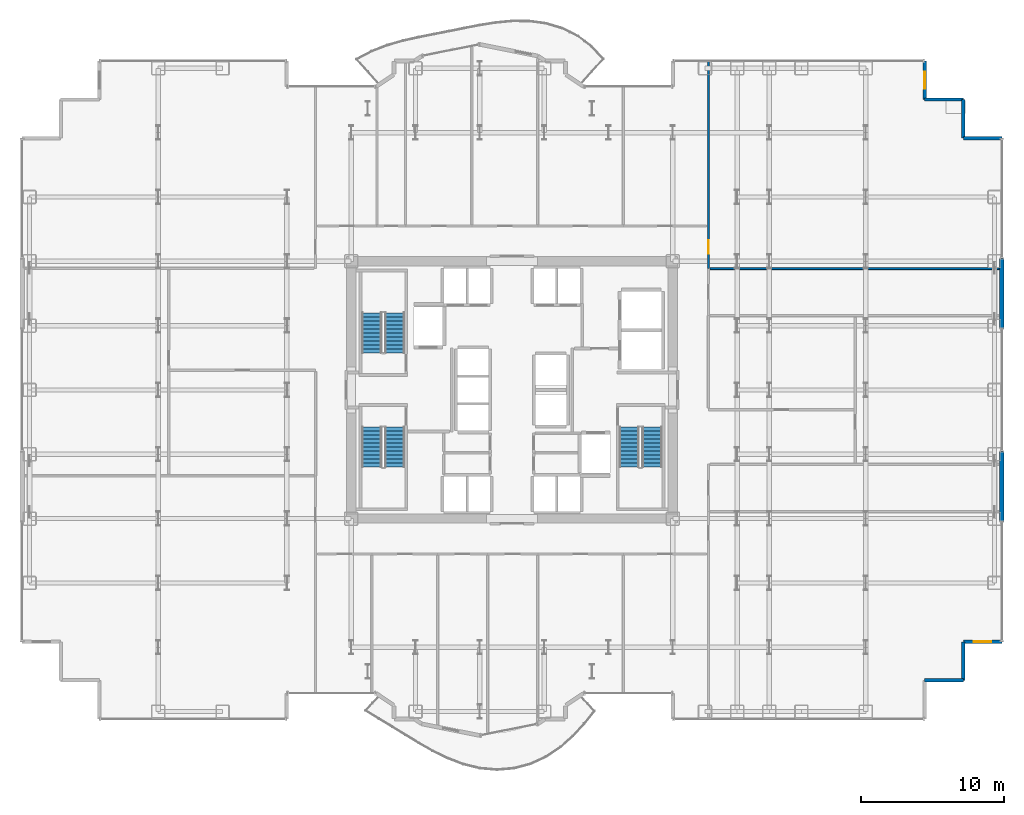
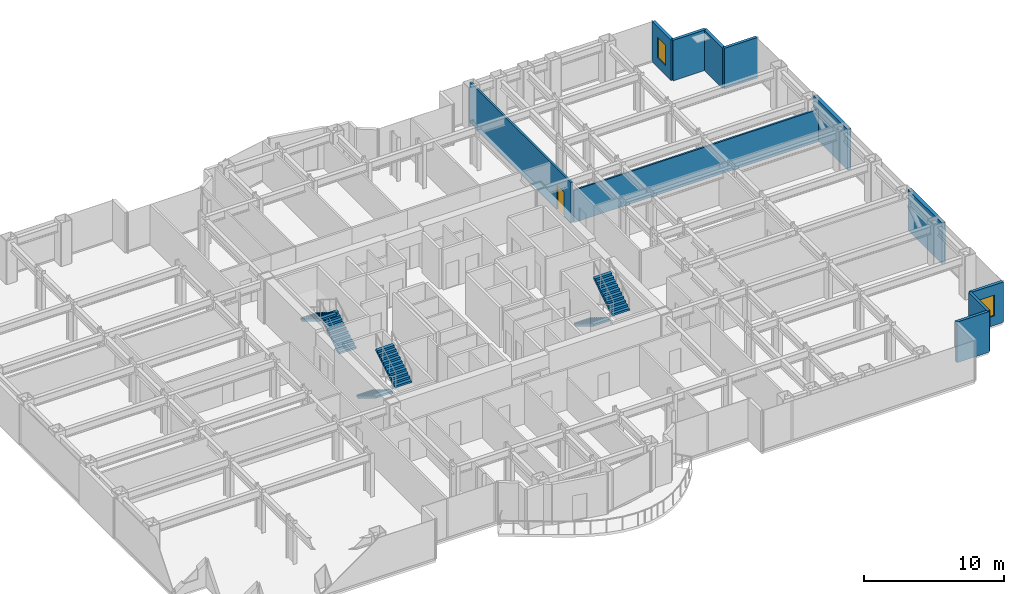
# One storey, part 27 of 29: 11 walls, 6 stair flights, 2 windows, 1 door, 3 openings, 3 elements without a shape of their own.
"""IFC4 building model written with IfcOpenShell, lengths in metres."""

from ifc_helpers import new_model, si_unit, direction, frame, frame_2d, origin, place, context, subcontext, project, spatial, polyline, rectangle, outline, extrude, source, transform, mapped, material, layer, layer_set, type_object, element, fill, aggregate, save


model = new_model("IFC4")

# Units and contexts
model_context = context("Model", 3, precision=1e-05, world=origin(), true_north=direction((0.0, 1.0)))
body_context = subcontext(model_context, "Body", "Model", "MODEL_VIEW")
ifc_project = project(units=[si_unit("LENGTHUNIT", "METRE"), si_unit("AREAUNIT", "SQUARE_METRE"), si_unit("VOLUMEUNIT", "CUBIC_METRE"), si_unit("PLANEANGLEUNIT", "RADIAN"), si_unit("MASSUNIT", "GRAM", prefix="KILO")], contexts=[model_context])

# Site, building, storey
site_placement = place(None, origin())
site = spatial("IfcSite", under=ifc_project, at=site_placement, CompositionType="ELEMENT")
building_placement = place(site_placement, origin())
building = spatial("IfcBuilding", under=site, at=building_placement, Name="Nefas-Gora Pilgrimage Tower", CompositionType="ELEMENT")
storey_placement = place(building_placement, frame((0.0, 0.0, 55.800048828125)))
storey = spatial("IfcBuildingStorey", under=building, at=storey_placement, Name="L12", CompositionType="ELEMENT", Elevation=55.800048828125)

# Walls
ifc_material_1 = material(Name="Precast concrete C45/55", Category="concrete")
ifc_layer_1 = layer(ifc_material_1, 0.239990234375)
ifc_layer_set_1 = layer_set([ifc_layer_1], Name="Precast concrete C45/55")
wall_type_1 = type_object("IfcWallType", Name="EW-SERR-240", PredefinedType="SHEAR", material=ifc_layer_set_1)
shared_shape_1 = source(origin(), body_context, "Body", "SweptSolid", [
    extrude(rectangle(XDim=4.8798828125, YDim=0.300048828125, at=frame_2d((2.43994140625, 0.0))), origin(), (0.0, 0.0, 1.0), 3.550048828125),
])
for number, where, z_axis, x_axis, name in (
    (1, (34.27001953125, -9.18994140625, 0.0), (0.0, 0.0, 1.0), (0.0, 1.0, 0.0), "L12 Braced-Tube Precast Shear Cladding 3"),
    (2, (34.27001953125, 4.31005859375, 0.0), (0.0, 0.0, 1.0), (0.0, 1.0, 0.0), "L12 Braced-Tube Precast Shear Cladding 4"),
):
    element("IfcWall", number, at=place(storey_placement, frame(where, z_axis=z_axis, x_axis=x_axis)), inside=storey, type_object=wall_type_1, Name=name, PredefinedType="SHEAR", context=body_context, shape_type="MappedRepresentation", body=[
        mapped(shared_shape_1, transform((0.0, 0.0, 0.0), x_axis=(1.0, 0.0, 0.0), y_axis=(0.0, 1.0, 0.0), z_axis=(0.0, 0.0, 1.0), scale=1.0)),
    ])
shared_shape_2 = source(origin(), body_context, "Body", "SweptSolid", [
    extrude(rectangle(XDim=2.699951171875, YDim=0.239990234375, at=frame_2d((1.35009765625, 0.0))), origin(), (0.0, 0.0, 1.0), 3.550048828125),
])
for number, where, z_axis, x_axis, name in (
    (3, (28.8701171875, -20.320068359375, 0.0), (0.0, 0.0, 1.0), (1.0, 0.0, 0.0), "L12 Serrated Corner Shear Pier Wall 7"),
    (4, (31.570068359375, -20.320068359375, 0.0), (0.0, 0.0, 1.0), (0.0, 1.0, 0.0), "L12 Serrated Corner Shear Pier Wall 8"),
):
    element("IfcWall", number, at=place(storey_placement, frame(where, z_axis=z_axis, x_axis=x_axis)), inside=storey, type_object=wall_type_1, Name=name, PredefinedType="SHEAR", context=body_context, shape_type="MappedRepresentation", body=[
        mapped(shared_shape_2, transform((0.0, 0.0, 0.0), x_axis=(1.0, 0.0, 0.0), y_axis=(0.0, 1.0, 0.0), z_axis=(0.0, 0.0, 1.0), scale=1.0)),
    ])

# Wall, opening, window
wall_1_placement = place(storey_placement, frame((31.570068359375, -17.6201171875, 0.0), z_axis=(0.0, 0.0, 1.0), x_axis=(1.0, 0.0, 0.0)))
wall_1 = element("IfcWall", 5, at=wall_1_placement, inside=storey, type_object=wall_type_1, Name="L12 Serrated Corner Shear Pier Wall 9", PredefinedType="SHEAR", context=body_context, shape_type="MappedRepresentation", body=[
    mapped(shared_shape_2, transform((0.0, 0.0, 0.0), x_axis=(1.0, 0.0, 0.0), y_axis=(0.0, 1.0, 0.0), z_axis=(0.0, 0.0, 1.0), scale=1.0)),
])
opening_1_placement = place(wall_1_placement, frame((0.75, 0.0, 0.85009765625)))
opening_1 = element("IfcOpeningElement", 6, at=opening_1_placement, cuts=wall_1, Name="Opening W-V1", PredefinedType="OPENING", context=body_context, shape_type="SweptSolid", body=[
    extrude(rectangle(XDim=1.199951171875, YDim=1.800048828125, at=frame_2d((0.60009765625, 0.89990234375))), frame((0.0, 0.1298828125, 0.0), z_axis=(0.0, -1.0, 0.0), x_axis=(1.0, 0.0, 0.0)), (0.0, 0.0, 1.0), 0.260009765625),
])
ifc_material_2 = material(Name="Dark ceramic-fritted operable aluminium-glass window", Category="aluminium")
window_type = type_object("IfcWindowType", Name="WIN-VENT-1200x1800", PartitioningType="SINGLE_PANEL", PredefinedType="WINDOW", material=ifc_material_2)
shared_shape_3 = source(origin(), body_context, "Body", "SweptSolid", [
    extrude(rectangle(XDim=1.199951171875, YDim=1.800048828125, at=frame_2d((0.60009765625, 0.89990234375))), frame((0.0, 0.030029296875, 0.0), z_axis=(0.0, -1.0, 0.0), x_axis=(1.0, 0.0, 0.0)), (0.0, 0.0, 1.0), 0.06005859375),
])
window_1_placement = place(opening_1_placement, origin())
window_1 = element("IfcWindow", 7, at=window_1_placement, inside=storey, type_object=window_type, Name="L12 Operable Parallel-Outswing Window 9", OverallHeight=1.800048828125, OverallWidth=1.199951171875, PartitioningType="SINGLE_PANEL", PredefinedType="WINDOW", context=body_context, shape_type="MappedRepresentation", body=[
    mapped(shared_shape_3, transform((0.0, 0.0, 0.0), x_axis=(1.0, 0.0, 0.0), y_axis=(0.0, 1.0, 0.0), z_axis=(0.0, 0.0, 1.0), scale=1.0)),
])
fill(opening_1, window_1)

# Walls
for number, where, z_axis, x_axis, name in (
    (8, (34.27001953125, 17.6201171875, 0.0), (0.0, 0.0, 1.0), (-1.0, 0.0, 0.0), "L12 Serrated Corner Shear Pier Wall 10"),
    (9, (31.570068359375, 17.6201171875, 0.0), (0.0, 0.0, 1.0), (0.0, 1.0, 0.0), "L12 Serrated Corner Shear Pier Wall 11"),
    (10, (31.570068359375, 20.320068359375, 0.0), (0.0, 0.0, 1.0), (-1.0, 0.0, 0.0), "L12 Serrated Corner Shear Pier Wall 12"),
):
    element("IfcWall", number, at=place(storey_placement, frame(where, z_axis=z_axis, x_axis=x_axis)), inside=storey, type_object=wall_type_1, Name=name, PredefinedType="SHEAR", context=body_context, shape_type="MappedRepresentation", body=[
        mapped(shared_shape_2, transform((0.0, 0.0, 0.0), x_axis=(1.0, 0.0, 0.0), y_axis=(0.0, 1.0, 0.0), z_axis=(0.0, 0.0, 1.0), scale=1.0)),
    ])

# Wall, opening, window
wall_2_placement = place(storey_placement, frame((28.8701171875, 20.320068359375, 0.0), z_axis=(0.0, 0.0, 1.0), x_axis=(0.0, 1.0, 0.0)))
wall_2 = element("IfcWall", 11, at=wall_2_placement, inside=storey, type_object=wall_type_1, Name="L12 Serrated Corner Shear Pier Wall 13", PredefinedType="SHEAR", context=body_context, shape_type="MappedRepresentation", body=[
    mapped(shared_shape_2, transform((0.0, 0.0, 0.0), x_axis=(1.0, 0.0, 0.0), y_axis=(0.0, 1.0, 0.0), z_axis=(0.0, 0.0, 1.0), scale=1.0)),
])
opening_2_placement = place(wall_2_placement, frame((0.75, 0.0, 0.85009765625)))
opening_2 = element("IfcOpeningElement", 12, at=opening_2_placement, cuts=wall_2, Name="Opening W-V1", PredefinedType="OPENING", context=body_context, shape_type="SweptSolid", body=[
    extrude(rectangle(XDim=1.199951171875, YDim=1.800048828125, at=frame_2d((0.60009765625, 0.89990234375))), frame((0.0, 0.1298828125, 0.0), z_axis=(0.0, -1.0, 0.0), x_axis=(1.0, 0.0, 0.0)), (0.0, 0.0, 1.0), 0.260009765625),
])
window_2_placement = place(opening_2_placement, origin())
window_2 = element("IfcWindow", 13, at=window_2_placement, inside=storey, type_object=window_type, Name="L12 Operable Parallel-Outswing Window 13", OverallHeight=1.800048828125, OverallWidth=1.199951171875, PartitioningType="SINGLE_PANEL", PredefinedType="WINDOW", context=body_context, shape_type="MappedRepresentation", body=[
    mapped(shared_shape_3, transform((0.0, 0.0, 0.0), x_axis=(1.0, 0.0, 0.0), y_axis=(0.0, 1.0, 0.0), z_axis=(0.0, 0.0, 1.0), scale=1.0)),
])
fill(opening_2, window_2)

# Wall
ifc_material_3 = material(Name="Gypsum twin-stud partition")
ifc_layer_2 = layer(ifc_material_3, 0.139892578125)
ifc_layer_set_2 = layer_set([ifc_layer_2], Name="Gypsum twin-stud partition")
wall_type_2 = type_object("IfcWallType", Name="IW-UNIT-140", PredefinedType="PARTITIONING", material=ifc_layer_set_2)
shared_shape_4 = source(origin(), body_context, "Body", "SweptSolid", [
    extrude(rectangle(XDim=20.219970703125, YDim=0.139892578125, at=frame_2d((10.10986328125, 0.0))), origin(), (0.0, 0.0, 1.0), 2.824951171875),
])
wall_3_placement = place(storey_placement, frame((13.860107421875, 8.4951171875, 0.0), z_axis=(0.0, 0.0, 1.0), x_axis=(1.0, 0.0, 0.0)))
element("IfcWall", 14, at=wall_3_placement, inside=storey, type_object=wall_type_2, Name="L12 Pilgrim Contemplative Lounge Partition Wall 44", PredefinedType="PARTITIONING", context=body_context, shape_type="MappedRepresentation", body=[
    mapped(shared_shape_4, transform((0.0, 0.0, 0.0), x_axis=(1.0, 0.0, 0.0), y_axis=(0.0, 1.0, 0.0), z_axis=(0.0, 0.0, 1.0), scale=1.0)),
])

# Wall, opening, door
ifc_material_4 = material(Name="Gypsum acoustic stud partition")
ifc_layer_3 = layer(ifc_material_4, 0.159912109375)
ifc_layer_set_3 = layer_set([ifc_layer_3], Name="Gypsum acoustic stud partition")
wall_type_3 = type_object("IfcWallType", Name="IW-CORR-160", PredefinedType="PARTITIONING", material=ifc_layer_set_3)
shared_shape_5 = source(origin(), body_context, "Body", "SweptSolid", [
    extrude(rectangle(XDim=14.544921875, YDim=0.159912109375, at=frame_2d((7.2724609375, 0.0))), origin(), (0.0, 0.0, 1.0), 3.534912109375),
])
wall_4_placement = place(storey_placement, frame((13.739990234375, 8.4951171875, 0.0), z_axis=(0.0, 0.0, 1.0), x_axis=(0.0, 1.0, 0.0)))
wall_4 = element("IfcWall", 15, at=wall_4_placement, inside=storey, type_object=wall_type_3, Name="L12 Pilgrim Contemplative Lounge Partition Wall 45", PredefinedType="PARTITIONING", context=body_context, shape_type="MappedRepresentation", body=[
    mapped(shared_shape_5, transform((0.0, 0.0, 0.0), x_axis=(1.0, 0.0, 0.0), y_axis=(0.0, 1.0, 0.0), z_axis=(0.0, 0.0, 1.0), scale=1.0)),
])
opening_3_placement = place(wall_4_placement, frame((1.032470703125, 0.0, 0.0)))
opening_3 = element("IfcOpeningElement", 16, at=opening_3_placement, cuts=wall_4, Name="Opening ID-GR1", PredefinedType="OPENING", context=body_context, shape_type="SweptSolid", body=[
    extrude(rectangle(XDim=0.949951171875, YDim=2.10009765625, at=frame_2d((0.47509765625, 1.050048828125))), frame((0.0, 0.08984375, 0.0), z_axis=(0.0, -1.0, 0.0), x_axis=(1.0, 0.0, 0.0)), (0.0, 0.0, 1.0), 0.179931640625),
])
ifc_material_5 = material(Name="Solid core oak fire-rated guest entrance door")
door_type = type_object("IfcDoorType", Name="DR-INT-GUEST-950", OperationType="NOTDEFINED", PredefinedType="DOOR", material=ifc_material_5)
shared_shape_6 = source(origin(), body_context, "Body", "SweptSolid", [
    extrude(rectangle(XDim=0.949951171875, YDim=2.10009765625, at=frame_2d((0.47509765625, 1.050048828125))), frame((0.0, 0.02490234375, 0.0), z_axis=(0.0, -1.0, 0.0), x_axis=(1.0, 0.0, 0.0)), (0.0, 0.0, 1.0), 0.050048828125),
])
door_placement = place(opening_3_placement, origin())
door = element("IfcDoor", 17, at=door_placement, inside=storey, type_object=door_type, Name="L12 Pilgrim Contemplative Lounge Door 20", OperationType="SINGLE_SWING_LEFT", OverallHeight=2.10009765625, OverallWidth=0.949951171875, PredefinedType="DOOR", context=body_context, shape_type="MappedRepresentation", body=[
    mapped(shared_shape_6, transform((0.0, 0.0, 0.0), x_axis=(1.0, 0.0, 0.0), y_axis=(0.0, 1.0, 0.0), z_axis=(0.0, 0.0, 1.0), scale=1.0)),
])
fill(opening_3, door)

# Stair, stair flights
ifc_material_6 = material(Name="Concrete C45/55", Category="concrete")
stair_type = type_object("IfcStairType", Name="STR-1400-R1727", PredefinedType="HALF_TURN_STAIR", material=ifc_material_6)
stair_1_placement = place(storey_placement, origin())
stair_1 = element("IfcStair", 18, at=stair_1_placement, inside=storey, type_object=stair_type, Name="L12 Pressurised Tower Exit Stair ST-01", PredefinedType="HALF_TURN_STAIR")
stair_flight_type = type_object("IfcStairFlightType", Name="STF-1400-R1727", PredefinedType="STRAIGHT", material=ifc_material_6)
shared_shape_7 = source(origin(), body_context, "Body", "SweptSolid", [
    extrude(outline(polyline([(0.0, 0.0), (0.0, 0.172607421875), (0.280029296875, 0.172607421875), (0.280029296875, 0.345458984375), (0.56005859375, 0.345458984375), (0.56005859375, 0.51806640625), (0.840087890625, 0.51806640625), (0.840087890625, 0.69091796875), (1.1201171875, 0.69091796875), (1.1201171875, 0.863525390625), (1.39990234375, 0.863525390625), (1.39990234375, 1.036376953125), (1.679931640625, 1.036376953125), (1.679931640625, 1.208984375), (1.9599609375, 1.208984375), (1.9599609375, 1.3818359375), (2.239990234375, 1.3818359375), (2.239990234375, 1.554443359375), (2.52001953125, 1.554443359375), (2.52001953125, 1.727294921875), (2.800048828125, 1.727294921875), (2.800048828125, 1.89990234375), (2.800048828125, 1.551025390625), (0.285400390625, 0.0), (0.0, 0.0)])), frame((0.0, 0.699951171875, 0.0), z_axis=(0.0, -1.0, 0.0), x_axis=(1.0, 0.0, 0.0)), (0.0, 0.0, 1.0), 1.39990234375),
])
stair_flight_1_placement = place(storey_placement, frame((-8.199951171875, 2.60009765625, 0.0), z_axis=(0.0, 0.0, 1.0), x_axis=(0.0, 1.0, 0.0)))
stair_flight_1 = element("IfcStairFlight", 19, at=stair_flight_1_placement, type_object=stair_flight_type, Name="ST-01 flight 1", NumberOfRisers=11, NumberOfTreads=10, PredefinedType="STRAIGHT", RiserHeight=0.172727273, TreadLength=0.28, context=body_context, shape_type="MappedRepresentation", body=[
    mapped(shared_shape_7, transform((0.0, 0.0, 0.0), x_axis=(1.0, 0.0, 0.0), y_axis=(0.0, 1.0, 0.0), z_axis=(0.0, 0.0, 1.0), scale=1.0)),
])
stair_flight_2_placement = place(storey_placement, frame((-9.800048828125, 5.39990234375, 1.89990234375), z_axis=(0.0, 0.0, 1.0), x_axis=(0.0, -1.0, 0.0)))
stair_flight_2 = element("IfcStairFlight", 20, at=stair_flight_2_placement, type_object=stair_flight_type, Name="ST-01 flight 2", NumberOfRisers=11, NumberOfTreads=10, PredefinedType="STRAIGHT", RiserHeight=0.172727273, TreadLength=0.28, context=body_context, shape_type="MappedRepresentation", body=[
    mapped(shared_shape_7, transform((0.0, 0.0, 0.0), x_axis=(1.0, 0.0, 0.0), y_axis=(0.0, 1.0, 0.0), z_axis=(0.0, 0.0, 1.0), scale=1.0)),
])
aggregate(stair_1, [stair_flight_1, stair_flight_2])

stair_2_placement = place(storey_placement, origin())
stair_2 = element("IfcStair", 21, at=stair_2_placement, inside=storey, type_object=stair_type, Name="L12 Pressurised Tower Exit Stair ST-02", PredefinedType="HALF_TURN_STAIR")
stair_flight_3_placement = place(storey_placement, frame((8.199951171875, -2.60009765625, 0.0), z_axis=(0.0, 0.0, 1.0), x_axis=(0.0, -1.0, 0.0)))
stair_flight_3 = element("IfcStairFlight", 22, at=stair_flight_3_placement, type_object=stair_flight_type, Name="ST-02 flight 1", NumberOfRisers=11, NumberOfTreads=10, PredefinedType="STRAIGHT", RiserHeight=0.172727273, TreadLength=0.28, context=body_context, shape_type="MappedRepresentation", body=[
    mapped(shared_shape_7, transform((0.0, 0.0, 0.0), x_axis=(1.0, 0.0, 0.0), y_axis=(0.0, 1.0, 0.0), z_axis=(0.0, 0.0, 1.0), scale=1.0)),
])
stair_flight_4_placement = place(storey_placement, frame((9.800048828125, -5.39990234375, 1.89990234375), z_axis=(0.0, 0.0, 1.0), x_axis=(0.0, 1.0, 0.0)))
stair_flight_4 = element("IfcStairFlight", 23, at=stair_flight_4_placement, type_object=stair_flight_type, Name="ST-02 flight 2", NumberOfRisers=11, NumberOfTreads=10, PredefinedType="STRAIGHT", RiserHeight=0.172727273, TreadLength=0.28, context=body_context, shape_type="MappedRepresentation", body=[
    mapped(shared_shape_7, transform((0.0, 0.0, 0.0), x_axis=(1.0, 0.0, 0.0), y_axis=(0.0, 1.0, 0.0), z_axis=(0.0, 0.0, 1.0), scale=1.0)),
])
aggregate(stair_2, [stair_flight_3, stair_flight_4])

stair_3_placement = place(storey_placement, origin())
stair_3 = element("IfcStair", 24, at=stair_3_placement, inside=storey, type_object=stair_type, Name="L12 Pressurised Tower Exit Stair ST-03", PredefinedType="HALF_TURN_STAIR")
stair_flight_5_placement = place(storey_placement, frame((-9.800048828125, -2.60009765625, 0.0), z_axis=(0.0, 0.0, 1.0), x_axis=(0.0, -1.0, 0.0)))
stair_flight_5 = element("IfcStairFlight", 25, at=stair_flight_5_placement, type_object=stair_flight_type, Name="ST-03 flight 1", NumberOfRisers=11, NumberOfTreads=10, PredefinedType="STRAIGHT", RiserHeight=0.172727273, TreadLength=0.28, context=body_context, shape_type="MappedRepresentation", body=[
    mapped(shared_shape_7, transform((0.0, 0.0, 0.0), x_axis=(1.0, 0.0, 0.0), y_axis=(0.0, 1.0, 0.0), z_axis=(0.0, 0.0, 1.0), scale=1.0)),
])
stair_flight_6_placement = place(storey_placement, frame((-8.199951171875, -5.39990234375, 1.89990234375), z_axis=(0.0, 0.0, 1.0), x_axis=(0.0, 1.0, 0.0)))
stair_flight_6 = element("IfcStairFlight", 26, at=stair_flight_6_placement, type_object=stair_flight_type, Name="ST-03 flight 2", NumberOfRisers=11, NumberOfTreads=10, PredefinedType="STRAIGHT", RiserHeight=0.172727273, TreadLength=0.28, context=body_context, shape_type="MappedRepresentation", body=[
    mapped(shared_shape_7, transform((0.0, 0.0, 0.0), x_axis=(1.0, 0.0, 0.0), y_axis=(0.0, 1.0, 0.0), z_axis=(0.0, 0.0, 1.0), scale=1.0)),
])
aggregate(stair_3, [stair_flight_5, stair_flight_6])

save(model, "model.ifc")
